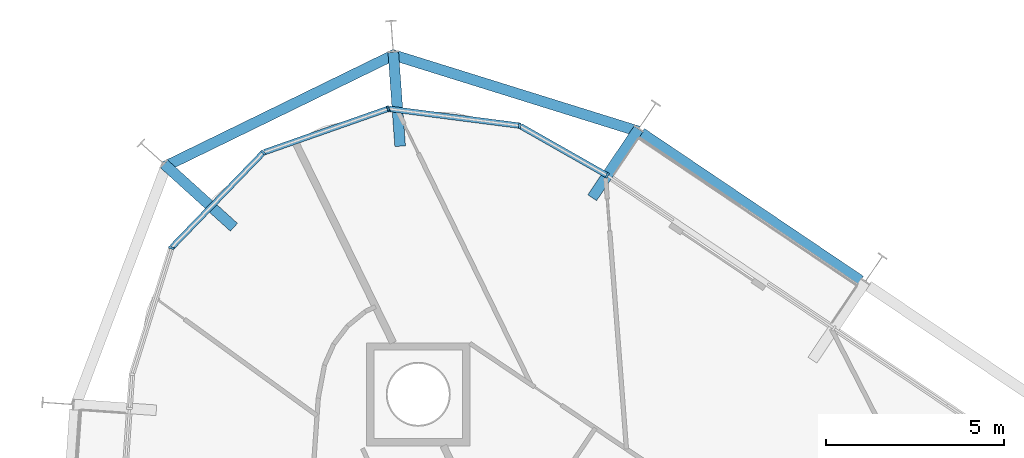
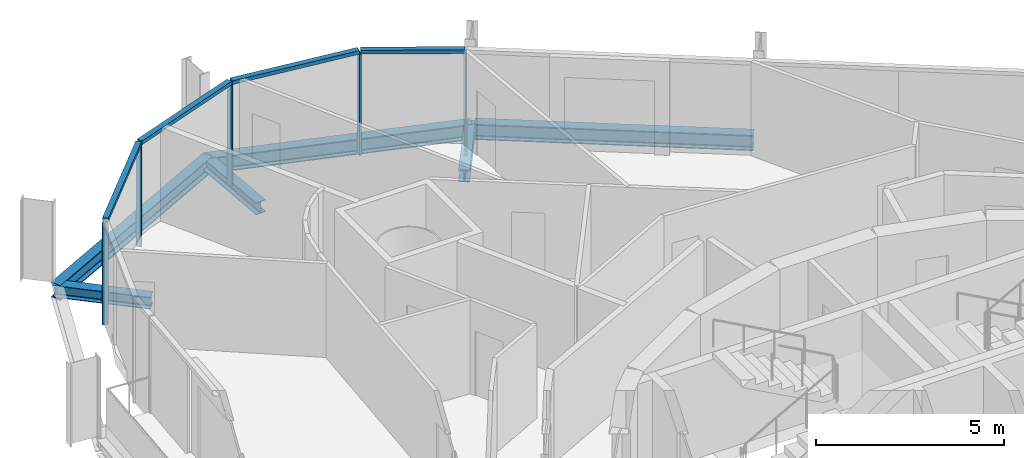
# One storey, part 8 of 17: 9 members, 6 beams, 1 element without a shape of its own.
"""IFC4 building model written with IfcOpenShell, lengths in metres."""

from ifc_helpers import new_model, si_unit, direction, frame, origin, origin_2d, place, context, subcontext, project, spatial, rectangle, i_section, extrude, material, layer, layer_set, material_profile, profile_set, type_object, element, aggregate, save


model = new_model("IFC4")

# Units and contexts
model_context = context("Model", 3, precision=1e-05, world=origin(), true_north=direction((0.0, 1.0)))
body_context = subcontext(model_context, "Body", "Model", "MODEL_VIEW")
ifc_project = project(units=[si_unit("LENGTHUNIT", "METRE"), si_unit("AREAUNIT", "SQUARE_METRE"), si_unit("VOLUMEUNIT", "CUBIC_METRE"), si_unit("PLANEANGLEUNIT", "RADIAN"), si_unit("MASSUNIT", "GRAM", prefix="KILO")], contexts=[model_context])

# Site, building, storey
site_placement = place(None, origin())
site = spatial("IfcSite", under=ifc_project, at=site_placement, CompositionType="ELEMENT")
building_placement = place(site_placement, origin())
building = spatial("IfcBuilding", under=site, at=building_placement, Name="Spindle Arch Residences", CompositionType="ELEMENT")
storey_placement = place(building_placement, frame((0.0, 0.0, 216.39990234375)))
storey = spatial("IfcBuildingStorey", under=building, at=storey_placement, Name="L55", CompositionType="ELEMENT", Elevation=216.39990234375)

# Curtain wall, members
ifc_material_1 = material(Name="Aluminium bronze unitised frame with tinted glass", Category="aluminium")
ifc_layer = layer(ifc_material_1, 0.159912109375)
ifc_layer_set = layer_set([ifc_layer], Name="CW-D corner wall on the fillet arcs")
curtain_wall_type = type_object("IfcCurtainWallType", Name="CW-D corner wall on the fillet arcs", PredefinedType="NOTDEFINED", material=ifc_layer_set)
curtain_wall_placement = place(storey_placement, origin())
curtain_wall = element("IfcCurtainWall", 1, at=curtain_wall_placement, inside=storey, type_object=curtain_wall_type, Name="CW-D L55 run 3", PredefinedType="NOTDEFINED")
ifc_material_2 = material(Name="Aluminium bronze anodised mullion", Category="aluminium")
ifc_material_profile_1 = material_profile(ifc_material_2, rectangle(XDim=0.159912109375, YDim=0.06005859375, at=origin_2d()), Name="MU 60x160")
ifc_profile_set_1 = profile_set([ifc_material_profile_1], Name="Aluminium bronze anodised mullion")
member_type_1 = type_object("IfcMemberType", Name="Bronze mullion 60x160", PredefinedType="MULLION", material=ifc_profile_set_1)
member_1_placement = place(storey_placement, frame((-3.608642578125, 24.46044921875, -0.3798828125), z_axis=(0.0, 0.0, 1.0), x_axis=(-0.493864780547, -0.86953871595, 0.0)))
member_1 = element("IfcMember", 2, at=member_1_placement, type_object=member_type_1, Name="CW-D mullion 00", PredefinedType="MULLION", context=body_context, shape_type="SweptSolid", body=[
    extrude(rectangle(XDim=0.159912109375, YDim=0.06005859375, at=origin_2d()), origin(), (0.0, 0.0, 1.0), 3.31005859375),
])
member_2_placement = place(storey_placement, frame((-6.07421875, 25.86083984375, -0.3798828125), z_axis=(0.0, 0.0, 1.0), x_axis=(-0.127641651888, -0.991820351023, 0.0)))
member_2 = element("IfcMember", 3, at=member_2_placement, type_object=member_type_1, Name="CW-D mullion 01", PredefinedType="MULLION", context=body_context, shape_type="SweptSolid", body=[
    extrude(rectangle(XDim=0.159912109375, YDim=0.06005859375, at=origin_2d()), origin(), (0.0, 0.0, 1.0), 3.31005859375),
])
member_3_placement = place(storey_placement, frame((-9.7705078125, 26.336669921875, -0.3798828125), z_axis=(0.0, 0.0, 1.0), x_axis=(0.331063412445, -0.943608508302, 0.0)))
member_3 = element("IfcMember", 4, at=member_3_placement, type_object=member_type_1, Name="CW-D mullion 02", PredefinedType="MULLION", context=body_context, shape_type="SweptSolid", body=[
    extrude(rectangle(XDim=0.159912109375, YDim=0.06005859375, at=origin_2d()), origin(), (0.0, 0.0, 1.0), 3.31005859375),
])
member_4_placement = place(storey_placement, frame((-13.287109375, 25.102783203125, -0.3798828125), z_axis=(0.0, 0.0, 1.0), x_axis=(0.719339801939, -0.694658368802, 0.0)))
member_4 = element("IfcMember", 5, at=member_4_placement, type_object=member_type_1, Name="CW-D mullion 03", PredefinedType="MULLION", context=body_context, shape_type="SweptSolid", body=[
    extrude(rectangle(XDim=0.159912109375, YDim=0.06005859375, at=origin_2d()), origin(), (0.0, 0.0, 1.0), 3.31005859375),
])
member_5_placement = place(storey_placement, frame((-15.8759765625, 22.421875, -0.3798828125), z_axis=(0.0, 0.0, 1.0), x_axis=(0.954587634064, -0.297930275218, 0.0)))
member_5 = element("IfcMember", 6, at=member_5_placement, type_object=member_type_1, Name="CW-D mullion 04", PredefinedType="MULLION", context=body_context, shape_type="SweptSolid", body=[
    extrude(rectangle(XDim=0.159912109375, YDim=0.06005859375, at=origin_2d()), origin(), (0.0, 0.0, 1.0), 3.31005859375),
])
ifc_material_3 = material(Name="Aluminium bronze anodised transom", Category="aluminium")
ifc_material_profile_2 = material_profile(ifc_material_3, rectangle(XDim=0.159912109375, YDim=0.1201171875, at=origin_2d()), Name="TR 120x160")
ifc_profile_set_2 = profile_set([ifc_material_profile_2], Name="Aluminium bronze anodised transom")
member_type_2 = type_object("IfcMemberType", Name="Bronze transom 120x160", PredefinedType="USERDEFINED", material=ifc_profile_set_2)
member_6_placement = place(storey_placement, frame((-3.634521484375, 24.475341796875, 2.989990234375), z_axis=(-0.869571592644, 0.493806890664, 0.0), x_axis=(-0.493806890664, -0.869571592644, 0.0)))
member_6 = element("IfcMember", 7, at=member_6_placement, type_object=member_type_2, Name="CW-D transom 00", ObjectType="TRANSOM", PredefinedType="USERDEFINED", context=body_context, shape_type="SweptSolid", body=[
    extrude(rectangle(XDim=0.159912109375, YDim=0.1201171875, at=origin_2d()), origin(), (0.0, 0.0, 1.0), 2.775634765625),
])
member_7_placement = place(storey_placement, frame((-6.10400390625, 25.86474609375, 2.989990234375), z_axis=(-0.991820609669, 0.127639642101, 0.0), x_axis=(-0.127639642101, -0.991820609669, 0.0)))
member_7 = element("IfcMember", 8, at=member_7_placement, type_object=member_type_2, Name="CW-D transom 01", ObjectType="TRANSOM", PredefinedType="USERDEFINED", context=body_context, shape_type="SweptSolid", body=[
    extrude(rectangle(XDim=0.159912109375, YDim=0.1201171875, at=origin_2d()), origin(), (0.0, 0.0, 1.0), 3.666748046875),
])
member_8_placement = place(storey_placement, frame((-9.798828125, 26.32666015625, 2.989990234375), z_axis=(-0.943613119154, -0.331050270141, 0.0), x_axis=(0.331050270141, -0.943613119154, 0.0)))
member_8 = element("IfcMember", 9, at=member_8_placement, type_object=member_type_2, Name="CW-D transom 02", ObjectType="TRANSOM", PredefinedType="USERDEFINED", context=body_context, shape_type="SweptSolid", body=[
    extrude(rectangle(XDim=0.159912109375, YDim=0.1201171875, at=origin_2d()), origin(), (0.0, 0.0, 1.0), 3.666748046875),
])
member_9_placement = place(storey_placement, frame((-13.307861328125, 25.081298828125, 2.989990234375), z_axis=(-0.694647982093, -0.719349832122, 0.0), x_axis=(0.719349832122, -0.694647982093, 0.0)))
member_9 = element("IfcMember", 10, at=member_9_placement, type_object=member_type_2, Name="CW-D transom 03", ObjectType="TRANSOM", PredefinedType="USERDEFINED", context=body_context, shape_type="SweptSolid", body=[
    extrude(rectangle(XDim=0.159912109375, YDim=0.1201171875, at=origin_2d()), origin(), (0.0, 0.0, 1.0), 3.666748046875),
])
aggregate(curtain_wall, [member_1, member_6, member_2, member_7, member_3, member_8, member_4, member_9, member_5])

# Beams
ifc_material_4 = material(Name="Steel S460ML, intumescent coating R 120", Category="steel")
ifc_material_profile_3 = material_profile(ifc_material_4, i_section(OverallWidth=0.300048828125, OverallDepth=0.5, WebThickness=0.014404296875, FlangeThickness=0.028076171875, FilletRadius=0.027099609375, at=origin_2d()), Name="HEB 500")
ifc_profile_set_3 = profile_set([ifc_material_profile_3], Name="Steel S460ML, intumescent coating R 120")
beam_type_1 = type_object("IfcBeamType", Name="Exoskeleton edge beam HEB 500", PredefinedType="BEAM", material=ifc_profile_set_3)
beam_1_placement = place(storey_placement, frame((3.517578125, 21.499267578125, -0.6298828125), z_axis=(-0.829031763913, 0.55920151504, 0.0), x_axis=(-0.55920151504, -0.829031763913, 0.0)))
element("IfcBeam", 11, at=beam_1_placement, inside=storey, type_object=beam_type_1, Name="Exoskeleton edge beam 9", PredefinedType="BEAM", context=body_context, shape_type="SweptSolid", body=[
    extrude(i_section(OverallWidth=0.300048828125, OverallDepth=0.5, WebThickness=0.014404296875, FlangeThickness=0.028076171875, FilletRadius=0.027099609375, at=origin_2d()), origin(), (0.0, 0.0, 1.0), 7.433837890625),
])
beam_2_placement = place(storey_placement, frame((-2.729248046875, 25.7001953125, -0.6298828125), z_axis=(-0.954689668885, 0.297603152072, 0.0), x_axis=(-0.297603152072, -0.954689668885, 0.0)))
element("IfcBeam", 12, at=beam_2_placement, inside=storey, type_object=beam_type_1, Name="Exoskeleton edge beam 10", PredefinedType="BEAM", context=body_context, shape_type="SweptSolid", body=[
    extrude(i_section(OverallWidth=0.300048828125, OverallDepth=0.5, WebThickness=0.014404296875, FlangeThickness=0.028076171875, FilletRadius=0.027099609375, at=origin_2d()), origin(), (0.0, 0.0, 1.0), 7.263427734375),
])
beam_3_placement = place(storey_placement, frame((-9.563720703125, 27.876708984375, -0.6298828125), z_axis=(-0.89878236333, -0.438395099616, 0.0), x_axis=(0.438395099616, -0.89878236333, 0.0)))
element("IfcBeam", 13, at=beam_3_placement, inside=storey, type_object=beam_type_1, Name="Exoskeleton edge beam 11", PredefinedType="BEAM", context=body_context, shape_type="SweptSolid", body=[
    extrude(i_section(OverallWidth=0.300048828125, OverallDepth=0.5, WebThickness=0.014404296875, FlangeThickness=0.028076171875, FilletRadius=0.027099609375, at=origin_2d()), origin(), (0.0, 0.0, 1.0), 7.2490234375),
])
ifc_material_5 = material(Name="Steel S460ML, intumescent coating R 120", Category="steel")
ifc_material_profile_4 = material_profile(ifc_material_5, i_section(OverallWidth=0.300048828125, OverallDepth=0.389892578125, WebThickness=0.010986328125, FlangeThickness=0.01904296875, FilletRadius=0.027099609375, at=origin_2d()), Name="HEA 400")
ifc_profile_set_4 = profile_set([ifc_material_profile_4], Name="Steel S460ML, intumescent coating R 120")
beam_type_2 = type_object("IfcBeamType", Name="Floor outrigger HEA 400", PredefinedType="BEAM", material=ifc_profile_set_4)
beam_4_placement = place(storey_placement, frame((-2.730712890625, 25.761962890625, -0.574951171875), z_axis=(-0.559170171593, -0.829052904947, 0.0), x_axis=(0.829052904947, -0.559170171593, 0.0)))
element("IfcBeam", 14, at=beam_4_placement, inside=storey, type_object=beam_type_2, Name="Floor outrigger 10", PredefinedType="BEAM", context=body_context, shape_type="SweptSolid", body=[
    extrude(i_section(OverallWidth=0.300048828125, OverallDepth=0.389892578125, WebThickness=0.010986328125, FlangeThickness=0.01904296875, FilletRadius=0.027099609375, at=origin_2d()), origin(), (0.0, 0.0, 1.0), 2.32763671875),
])
for number, where, z_axis, x_axis, name in (
    (15, (-9.62890625, 27.92529296875, -0.574951171875), (0.072870594007, -0.997341404199, 0.0), (0.997341404199, 0.072870594007, 0.0), "Floor outrigger 11"),
    (16, (-16.0771484375, 24.780029296875, -0.574951171875), (0.741072898018, -0.671424574932, 0.0), (0.671424574932, 0.741072898018, 0.0), "Floor outrigger 12"),
):
    element("IfcBeam", number, at=place(storey_placement, frame(where, z_axis=z_axis, x_axis=x_axis)), inside=storey, type_object=beam_type_2, Name=name, PredefinedType="BEAM", context=body_context, shape_type="SweptSolid", body=[
        extrude(i_section(OverallWidth=0.300048828125, OverallDepth=0.389892578125, WebThickness=0.010986328125, FlangeThickness=0.01904296875, FilletRadius=0.027099609375, at=origin_2d()), origin(), (0.0, 0.0, 1.0), 2.650146484375),
    ])

save(model, "model.ifc")
